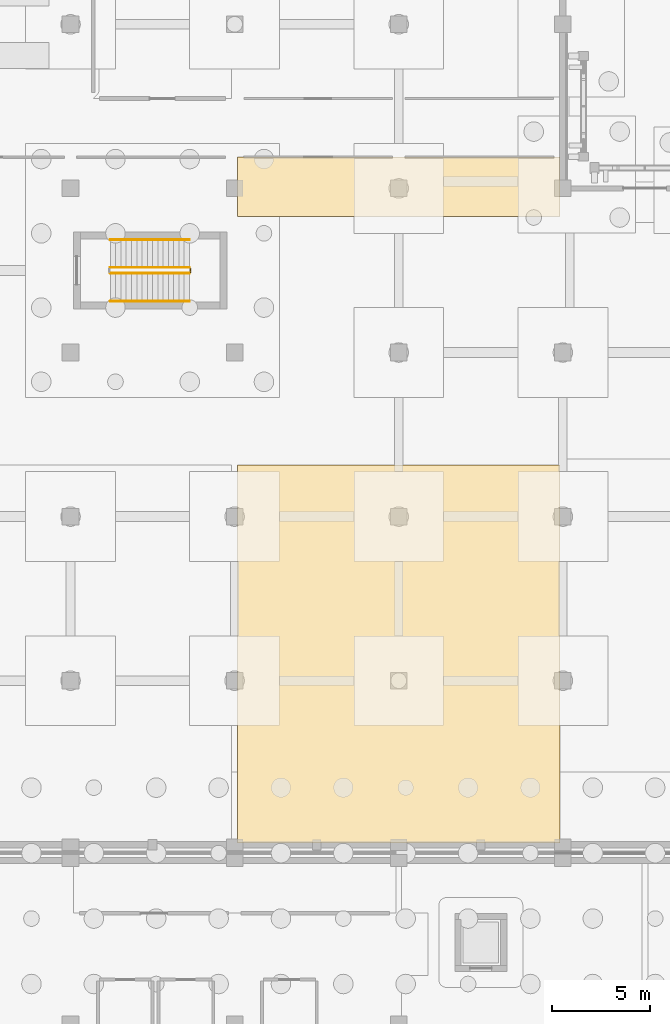
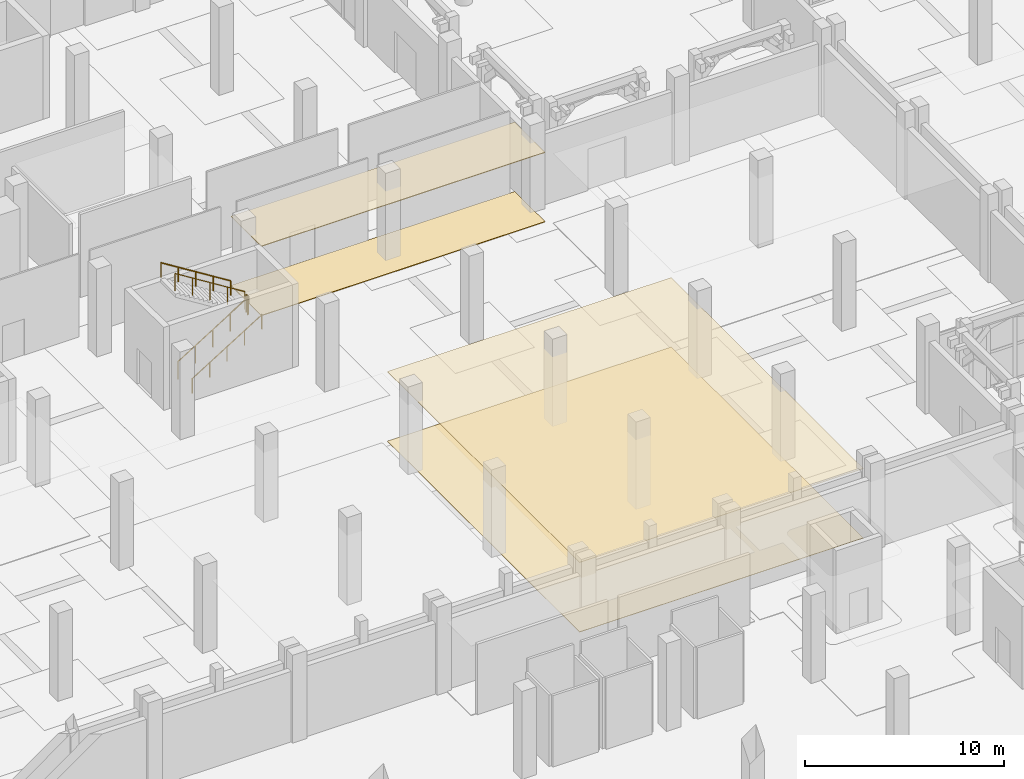
# One storey, part 88 of 98: 5 railings, 4 coverings.
"""IFC4 building model written with IfcOpenShell, lengths in metres."""

from ifc_helpers import new_model, si_unit, direction, frame, origin, origin_2d, place, context, subcontext, project, spatial, polyline, circle, outline, extrude, material, layer, layer_set, type_object, element, save


model = new_model("IFC4")

# Units and contexts
model_context = context("Model", 3, precision=1e-05, world=origin(), true_north=direction((0.0, 1.0)))
body_context = subcontext(model_context, "Body", "Model", "MODEL_VIEW")
ifc_project = project(units=[si_unit("LENGTHUNIT", "METRE"), si_unit("AREAUNIT", "SQUARE_METRE"), si_unit("VOLUMEUNIT", "CUBIC_METRE"), si_unit("PLANEANGLEUNIT", "RADIAN"), si_unit("MASSUNIT", "GRAM", prefix="KILO")], contexts=[model_context])

# Site, building, storey
site_placement = place(None, origin())
site = spatial("IfcSite", under=ifc_project, at=site_placement, CompositionType="ELEMENT")
building_placement = place(site_placement, origin())
building = spatial("IfcBuilding", under=site, at=building_placement, Name="Xazarin Passage Department Store", CompositionType="ELEMENT")
storey_placement = place(building_placement, origin())
storey = spatial("IfcBuildingStorey", under=building, at=storey_placement, Name="L00", CompositionType="ELEMENT", Elevation=0.0)

# Coverings
ifc_material_1 = material(Name="Acoustic mineral ceiling")
ifc_layer_1 = layer(ifc_material_1, 0.030029296875)
ifc_layer_set_1 = layer_set([ifc_layer_1], Name="Acoustic mineral ceiling")
covering_type_1 = type_object("IfcCoveringType", Name="ARC-COV-CLG030", PredefinedType="CEILING", material=ifc_layer_set_1)
covering_1_placement = place(storey_placement, frame((0.0, 0.0, 4.27001953125)))
element("IfcCovering", 1, at=covering_1_placement, inside=storey, type_object=covering_type_1, Name="L00 Customer Service Lounge Acoustic Ceiling", PredefinedType="CEILING", context=body_context, shape_type="SweptSolid", body=[
    extrude(outline(polyline([(33.75, 51.300048828125), (50.25, 51.300048828125), (50.25, 70.64990234375), (33.75, 70.64990234375), (33.75, 51.300048828125)])), origin(), (0.0, 0.0, 1.0), 0.030029296875),
])
ifc_layer_2 = layer(ifc_material_1, 0.0400390625)
ifc_layer_set_2 = layer_set([ifc_layer_2], Name="Acoustic mineral ceiling")
covering_type_2 = type_object("IfcCoveringType", Name="ARC-COV-CLG040", PredefinedType="CEILING", material=ifc_layer_set_2)
covering_2_placement = place(storey_placement, frame((0.0, 0.0, 4.260009765625)))
element("IfcCovering", 2, at=covering_2_placement, inside=storey, type_object=covering_type_2, Name="L00 Cosmetics Hall Acoustic Ceiling", PredefinedType="CEILING", context=body_context, shape_type="SweptSolid", body=[
    extrude(outline(polyline([(50.25, 86.39990234375), (33.75, 86.39990234375), (33.75, 83.35009765625), (50.25, 83.35009765625), (50.25, 86.39990234375)])), origin(), (0.0, 0.0, 1.0), 0.0400390625),
])
ifc_material_2 = material(Name="Terrazzo stone flooring", Category="masonry")
ifc_layer_3 = layer(ifc_material_2, 0.02490234375)
ifc_layer_set_3 = layer_set([ifc_layer_3], Name="Terrazzo stone flooring")
covering_type_3 = type_object("IfcCoveringType", Name="ARC-COV-FLR025", PredefinedType="FLOORING", material=ifc_layer_set_3)
covering_3_placement = place(storey_placement, origin())
element("IfcCovering", 3, at=covering_3_placement, inside=storey, type_object=covering_type_3, Name="L00 Customer Service Lounge Terrazzo Flooring", PredefinedType="FLOORING", context=body_context, shape_type="SweptSolid", body=[
    extrude(outline(polyline([(33.75, 51.300048828125), (50.25, 51.300048828125), (50.25, 70.64990234375), (33.75, 70.64990234375), (33.75, 51.300048828125)])), origin(), (0.0, 0.0, 1.0), 0.02490234375),
])
ifc_layer_4 = layer(ifc_material_2, 0.034912109375)
ifc_layer_set_4 = layer_set([ifc_layer_4], Name="Terrazzo stone flooring")
covering_type_4 = type_object("IfcCoveringType", Name="ARC-COV-FLR035", PredefinedType="FLOORING", material=ifc_layer_set_4)
covering_4_placement = place(storey_placement, origin())
element("IfcCovering", 4, at=covering_4_placement, inside=storey, type_object=covering_type_4, Name="L00 Cosmetics Hall Terrazzo Flooring", PredefinedType="FLOORING", context=body_context, shape_type="SweptSolid", body=[
    extrude(outline(polyline([(50.25, 86.39990234375), (33.75, 86.39990234375), (33.75, 83.35009765625), (50.25, 83.35009765625), (50.25, 86.39990234375)])), origin(), (0.0, 0.0, 1.0), 0.034912109375),
])

# Railings
ifc_material_3 = material(Name="Steel S355", Category="steel")
railing_type_1 = type_object("IfcRailingType", Name="ARC-RL-GRD112", PredefinedType="GUARDRAIL", material=ifc_material_3)
railing_1_placement = place(storey_placement, frame((27.239990234375, 80.449951171875, 0.168701171875)))
element("IfcRailing", 5, at=railing_1_placement, inside=storey, type_object=railing_type_1, Name="L00 ST3 stair guard 1", PredefinedType="GUARDRAIL", context=body_context, shape_type="SweptSolid", body=[
    extrude(circle(Radius=0.02392578125, at=origin_2d()), frame((0.0, 0.0, 1.076171875), z_axis=(0.848001175806, 0.0, 0.529994345094), x_axis=(0.0, 1.0, 0.0)), (0.0, 0.0, 1.0), 4.77587890625),
    extrude(circle(Radius=0.02099609375, at=origin_2d()), origin(), (0.0, 0.0, 1.0), 1.0517578125),
    extrude(circle(Radius=0.02099609375, at=origin_2d()), frame((1.012451171875, 0.0, 0.6328125)), (0.0, 0.0, 1.0), 1.0517578125),
    extrude(circle(Radius=0.02099609375, at=origin_2d()), frame((2.02490234375, 0.0, 1.265625)), (0.0, 0.0, 1.0), 1.0517578125),
    extrude(circle(Radius=0.02099609375, at=origin_2d()), frame((3.03759765625, 0.0, 1.8984375)), (0.0, 0.0, 1.0), 1.0517578125),
    extrude(circle(Radius=0.02099609375, at=origin_2d()), frame((4.050048828125, 0.0, 2.53125)), (0.0, 0.0, 1.0), 1.0517578125),
])
railing_2_placement = place(storey_placement, frame((31.340087890625, 80.5, 2.699951171875)))
element("IfcRailing", 6, at=railing_2_placement, inside=storey, type_object=railing_type_1, Name="L00 ST3 stair guard 2", PredefinedType="GUARDRAIL", context=body_context, shape_type="SweptSolid", body=[
    extrude(circle(Radius=0.02392578125, at=origin_2d()), frame((0.0, 0.0, 1.076171875), z_axis=(0.0, 1.0, 0.0), x_axis=(-1.0, 0.0, 0.0)), (0.0, 0.0, 1.0), 0.199951171875),
    extrude(circle(Radius=0.02099609375, at=origin_2d()), origin(), (0.0, 0.0, 1.0), 1.0517578125),
    extrude(circle(Radius=0.02099609375, at=origin_2d()), frame((0.0, 0.199951171875, 0.0)), (0.0, 0.0, 1.0), 1.0517578125),
])
railing_3_placement = place(storey_placement, frame((31.2900390625, 80.75, 2.86865234375)))
element("IfcRailing", 7, at=railing_3_placement, inside=storey, type_object=railing_type_1, Name="L00 ST3 stair guard 3", PredefinedType="GUARDRAIL", context=body_context, shape_type="SweptSolid", body=[
    extrude(circle(Radius=0.02392578125, at=origin_2d()), frame((0.0, 0.0, 1.076171875), z_axis=(-0.848001175806, 0.0, 0.529994345094), x_axis=(0.0, -1.0, 0.0)), (0.0, 0.0, 1.0), 4.77587890625),
    extrude(circle(Radius=0.02099609375, at=origin_2d()), origin(), (0.0, 0.0, 1.0), 1.0517578125),
    extrude(circle(Radius=0.02099609375, at=origin_2d()), frame((-1.012451171875, 0.0, 0.6328125)), (0.0, 0.0, 1.0), 1.0517578125),
    extrude(circle(Radius=0.02099609375, at=origin_2d()), frame((-2.02490234375, 0.0, 1.265625)), (0.0, 0.0, 1.0), 1.0517578125),
    extrude(circle(Radius=0.02099609375, at=origin_2d()), frame((-3.03759765625, 0.0, 1.8984375)), (0.0, 0.0, 1.0), 1.0517578125),
    extrude(circle(Radius=0.02099609375, at=origin_2d()), frame((-4.050048828125, 0.0, 2.53125)), (0.0, 0.0, 1.0), 1.0517578125),
])
railing_type_2 = type_object("IfcRailingType", Name="ARC-RL-HND090", PredefinedType="HANDRAIL", material=ifc_material_3)
railing_4_placement = place(storey_placement, frame((27.239990234375, 79.030029296875, 0.168701171875)))
element("IfcRailing", 8, at=railing_4_placement, inside=storey, type_object=railing_type_2, Name="L00 ST3 stair handrail 1", PredefinedType="HANDRAIL", context=body_context, shape_type="SweptSolid", body=[
    extrude(circle(Radius=0.02392578125, at=origin_2d()), frame((0.0, 0.0, 0.8759765625), z_axis=(0.848001175806, 0.0, 0.529994345094), x_axis=(0.0, 1.0, 0.0)), (0.0, 0.0, 1.0), 4.77587890625),
    extrude(circle(Radius=0.02099609375, at=origin_2d()), origin(), (0.0, 0.0, 1.0), 0.8515625),
    extrude(circle(Radius=0.02099609375, at=origin_2d()), frame((1.012451171875, 0.0, 0.6328125)), (0.0, 0.0, 1.0), 0.8515625),
    extrude(circle(Radius=0.02099609375, at=origin_2d()), frame((2.02490234375, 0.0, 1.265625)), (0.0, 0.0, 1.0), 0.8515625),
    extrude(circle(Radius=0.02099609375, at=origin_2d()), frame((3.03759765625, 0.0, 1.8984375)), (0.0, 0.0, 1.0), 0.8515625),
    extrude(circle(Radius=0.02099609375, at=origin_2d()), frame((4.050048828125, 0.0, 2.53125)), (0.0, 0.0, 1.0), 0.8515625),
])
railing_5_placement = place(storey_placement, frame((31.2900390625, 82.169921875, 2.86865234375)))
element("IfcRailing", 9, at=railing_5_placement, inside=storey, type_object=railing_type_2, Name="L00 ST3 stair handrail 2", PredefinedType="HANDRAIL", context=body_context, shape_type="SweptSolid", body=[
    extrude(circle(Radius=0.02392578125, at=origin_2d()), frame((0.0, 0.0, 0.8759765625), z_axis=(-0.848001175806, 0.0, 0.529994345094), x_axis=(0.0, -1.0, 0.0)), (0.0, 0.0, 1.0), 4.77587890625),
    extrude(circle(Radius=0.02099609375, at=origin_2d()), origin(), (0.0, 0.0, 1.0), 0.8515625),
    extrude(circle(Radius=0.02099609375, at=origin_2d()), frame((-1.012451171875, 0.0, 0.6328125)), (0.0, 0.0, 1.0), 0.8515625),
    extrude(circle(Radius=0.02099609375, at=origin_2d()), frame((-2.02490234375, 0.0, 1.265625)), (0.0, 0.0, 1.0), 0.8515625),
    extrude(circle(Radius=0.02099609375, at=origin_2d()), frame((-3.03759765625, 0.0, 1.8984375)), (0.0, 0.0, 1.0), 0.8515625),
    extrude(circle(Radius=0.02099609375, at=origin_2d()), frame((-4.050048828125, 0.0, 2.53125)), (0.0, 0.0, 1.0), 0.8515625),
])

save(model, "model.ifc")
